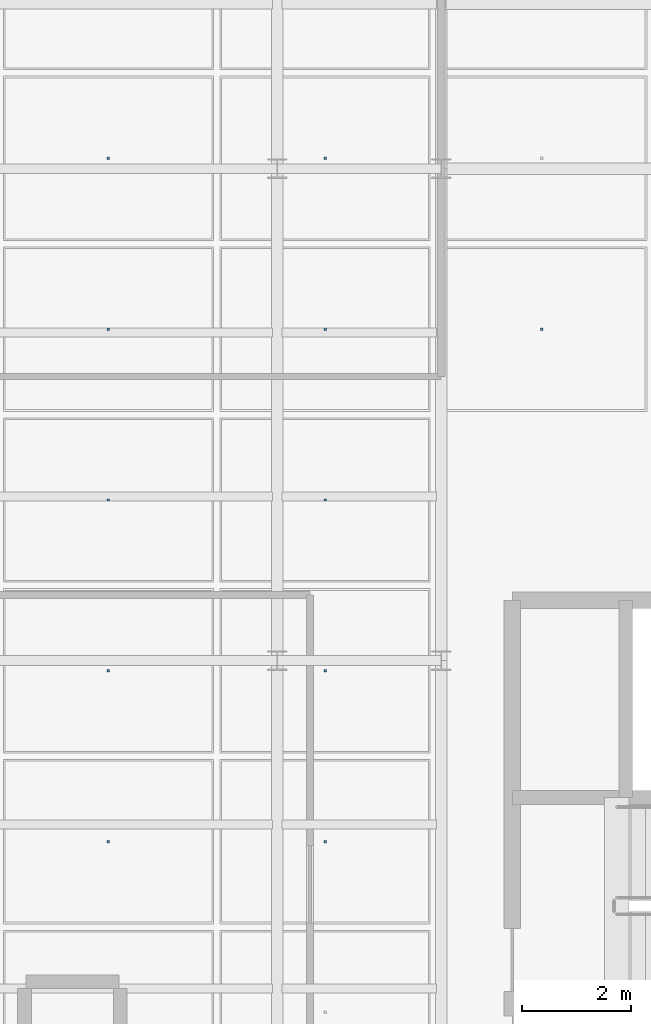
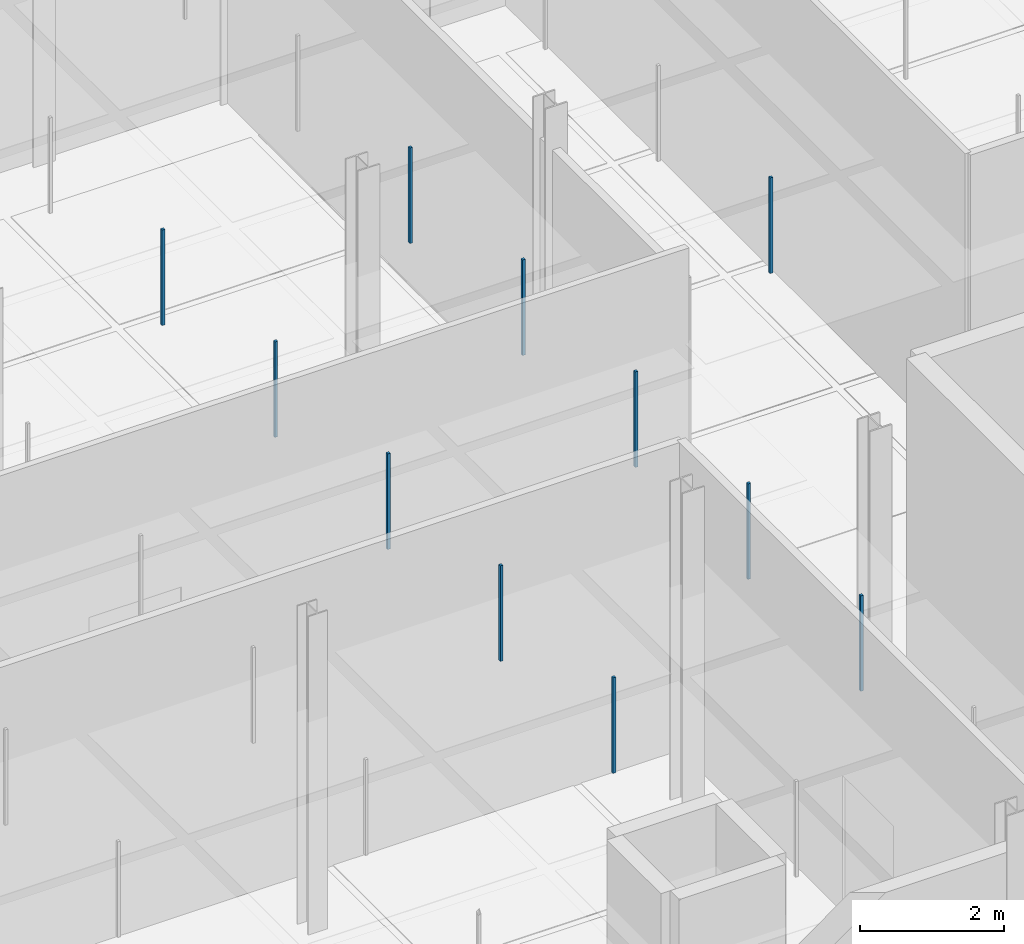
# One storey, part 129 of 180: 11 discrete accessories.
"""IFC4 building model written with IfcOpenShell, lengths in metres."""

from ifc_helpers import new_model, si_unit, direction, frame, origin, origin_2d, place, context, subcontext, project, spatial, rectangle, extrude, material, type_object, element, save


model = new_model("IFC4")

# Units and contexts
model_context = context("Model", 3, precision=1e-05, world=origin(), true_north=direction((0.0, 1.0)))
body_context = subcontext(model_context, "Body", "Model", "MODEL_VIEW")
ifc_project = project(units=[si_unit("LENGTHUNIT", "METRE"), si_unit("AREAUNIT", "SQUARE_METRE"), si_unit("VOLUMEUNIT", "CUBIC_METRE"), si_unit("PLANEANGLEUNIT", "RADIAN"), si_unit("MASSUNIT", "GRAM", prefix="KILO"), si_unit("THERMODYNAMICTEMPERATUREUNIT", "KELVIN"), si_unit("POWERUNIT", "WATT")], contexts=[model_context])

# Site, building, storey
site_placement = place(None, origin())
site = spatial("IfcSite", under=ifc_project, at=site_placement, CompositionType="ELEMENT")
building_placement = place(site_placement, origin())
building = spatial("IfcBuilding", under=site, at=building_placement, Name="Tallowbark Science Centre", CompositionType="ELEMENT")
storey_placement = place(building_placement, origin())
storey = spatial("IfcBuildingStorey", under=building, at=storey_placement, Name="L00", CompositionType="ELEMENT", Elevation=0.0)

# Discrete accessories
ifc_material = material(Name="Galvanised Steel Grade C350L0 (350 MPa)", Category="steel")
discrete_accessory_type = type_object("IfcDiscreteAccessoryType", Name="ACC-CLG-HNG", PredefinedType="BRACKET", material=ifc_material)
for number, where, z_axis, x_axis, name in (
    (1, (65.91064453125, 77.6875, 3.60498046875), (0.0, 0.0, 1.0), (1.0, 0.0, 0.0), "Ceiling Hanger Bracket L00-314"),
    (2, (65.91064453125, 80.8125, 3.60498046875), (0.0, 0.0, 1.0), (1.0, 0.0, 0.0), "Ceiling Hanger Bracket L00-315"),
    (3, (65.91064453125, 83.9375, 3.60498046875), (0.0, 0.0, 1.0), (1.0, 0.0, 0.0), "Ceiling Hanger Bracket L00-316"),
    (4, (65.91064453125, 87.0625, 3.60498046875), (0.0, 0.0, 1.0), (1.0, 0.0, 0.0), "Ceiling Hanger Bracket L00-317"),
    (5, (65.91064453125, 90.1875, 3.60498046875), (0.0, 0.0, 1.0), (1.0, 0.0, 0.0), "Ceiling Hanger Bracket L00-318"),
    (6, (69.875, 77.6875, 3.60498046875), (0.0, 0.0, 1.0), (1.0, 0.0, 0.0), "Ceiling Hanger Bracket L00-322"),
    (7, (69.875, 80.8125, 3.60498046875), (0.0, 0.0, 1.0), (1.0, 0.0, 0.0), "Ceiling Hanger Bracket L00-323"),
    (8, (69.875, 83.9375, 3.60498046875), (0.0, 0.0, 1.0), (1.0, 0.0, 0.0), "Ceiling Hanger Bracket L00-324"),
    (9, (69.875, 87.0625, 3.60498046875), (0.0, 0.0, 1.0), (1.0, 0.0, 0.0), "Ceiling Hanger Bracket L00-325"),
    (10, (69.875, 90.1875, 3.60498046875), (0.0, 0.0, 1.0), (1.0, 0.0, 0.0), "Ceiling Hanger Bracket L00-326"),
    (11, (73.83935546875, 87.0625, 3.60498046875), (0.0, 0.0, 1.0), (1.0, 0.0, 0.0), "Ceiling Hanger Bracket L00-329"),
):
    element("IfcDiscreteAccessory", number, at=place(storey_placement, frame(where, z_axis=z_axis, x_axis=x_axis)), inside=storey, type_object=discrete_accessory_type, Name=name, PredefinedType="BRACKET", context=body_context, shape_type="SweptSolid", body=[
        extrude(rectangle(XDim=0.044921875, YDim=0.044921875, at=origin_2d()), origin(), (0.0, 0.0, 1.0), 1.617919921875),
    ])

save(model, "model.ifc")
